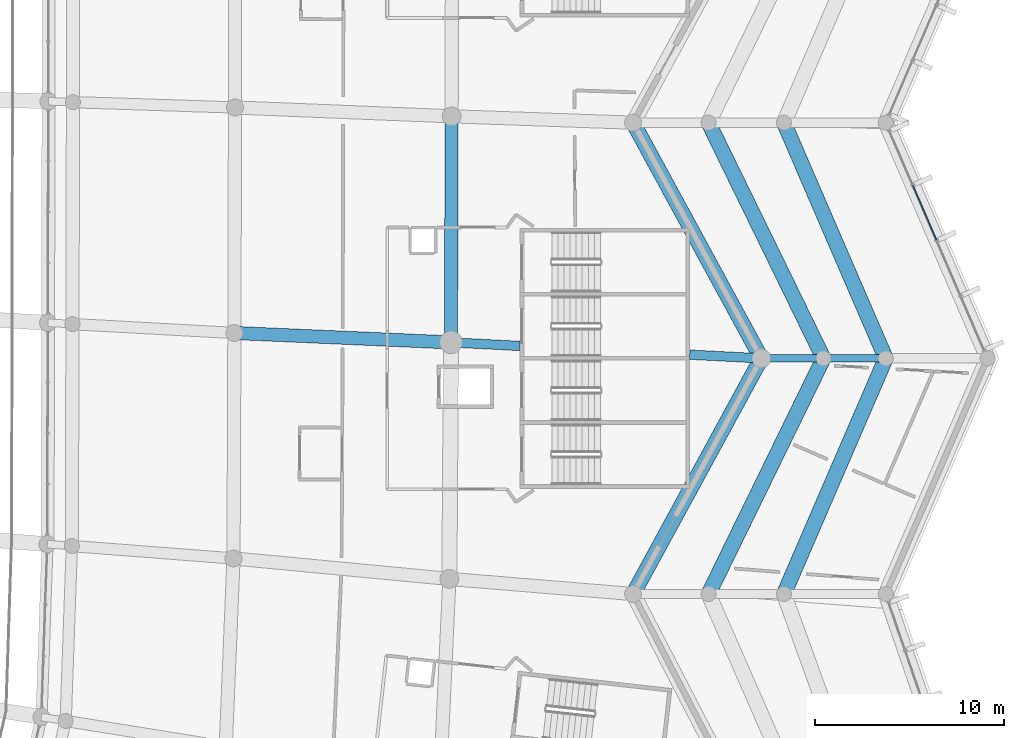
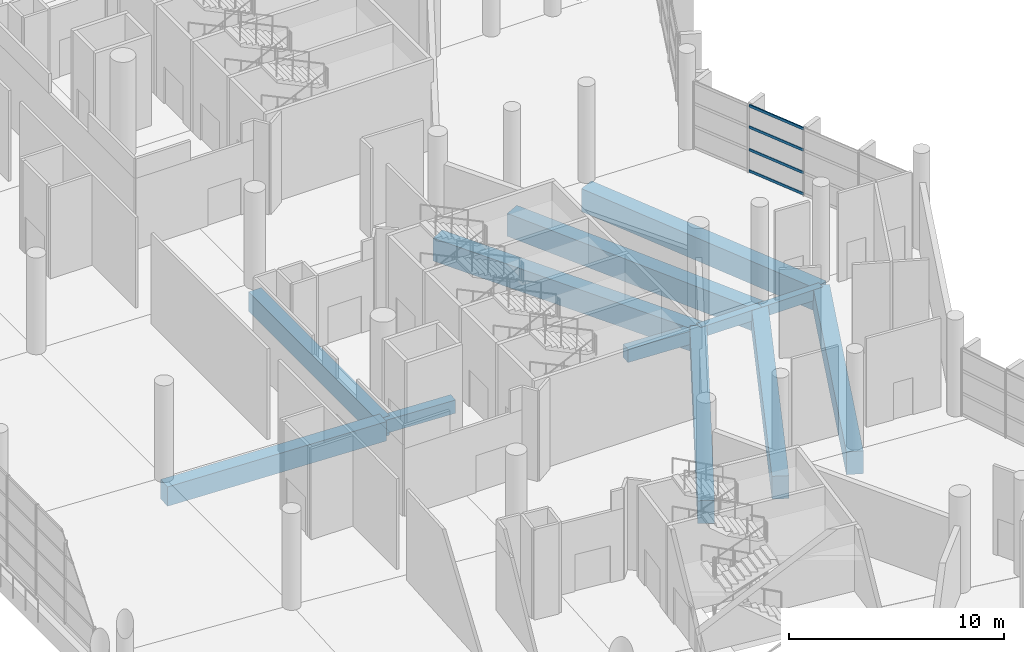
# One storey, part 60 of 271: 12 beams, 4 members, 1 element without a shape of its own.
"""IFC4 building model written with IfcOpenShell, lengths in metres."""

import ifcopenshell
import ifcopenshell.guid

model = None  # the IFC model being written
_history = None  # IfcOwnerHistory: only IFC2X3 demands one
_inside = {}  # id of a spatial element -> (the spatial element, [elements in it])
_under = {}  # id of a project, library or spatial element -> (it, [spatial elements below it])
_declared = {}  # id of a project -> (the project, [libraries it declares])
_typed = {}  # id of a type object -> (the type object, [elements of that type])
_made_of = {}  # id of a material, layer set ... -> (it, [elements and type objects made of it])


def new_model(schema):
    """Start an empty IFC model of exactly this schema.

    Asked for "IFC4X3", IfcOpenShell would pick the latest addendum, in which some entities
    have other attributes; the version numbers below select the first issue.
    IFC2X3 requires an IfcOwnerHistory on every rooted entity: one is made here for all.
    """
    global model, _history
    if schema == "IFC4X3":
        model = ifcopenshell.file(schema_version=(4, 3, 0, 0))
    else:
        model = ifcopenshell.file(schema=schema)
    _inside.clear()
    _under.clear()
    _declared.clear()
    _typed.clear()
    _made_of.clear()
    _history = None
    if model.schema == "IFC2X3":
        org = make("IfcOrganization", Name="unknown")
        user = make(
            "IfcPersonAndOrganization",
            ThePerson=make("IfcPerson", FamilyName="unknown"),
            TheOrganization=org,
        )
        app = make(
            "IfcApplication",
            ApplicationDeveloper=org,
            Version="unknown",
            ApplicationFullName="unknown",
            ApplicationIdentifier="unknown",
        )
        _history = make(
            "IfcOwnerHistory",
            OwningUser=user,
            OwningApplication=app,
            ChangeAction="ADDED",
            CreationDate=0,
        )
    return model


def make(cls, **values):
    """One entity of the class cls with the attributes given. An attribute that is None is left unset."""
    return model.create_entity(
        cls, **{name: value for name, value in values.items() if value is not None}
    )


def rooted(cls, **values):
    """An entity with a GlobalId (a new one), such as an element, a storey or a relation."""
    return make(cls, GlobalId=ifcopenshell.guid.new(), OwnerHistory=_history, **values)


def si_unit(unit_type, name, prefix=None):
    """IfcSIUnit, for example si_unit("LENGTHUNIT", "METRE", prefix="MILLI")."""
    return make("IfcSIUnit", UnitType=unit_type, Prefix=prefix, Name=name)


def assignment(units):
    """IfcUnitAssignment: the units of a project."""
    return None if units is None else make("IfcUnitAssignment", Units=units)


def point(xyz):
    """IfcCartesianPoint."""
    return None if xyz is None else make("IfcCartesianPoint", Coordinates=xyz)


def direction(xyz):
    """IfcDirection."""
    return None if xyz is None else make("IfcDirection", DirectionRatios=xyz)


def frame(location, z_axis=None, x_axis=None):
    """IfcAxis2Placement3D, a coordinate frame: its origin and axes. An axis left out is left unset."""
    return make(
        "IfcAxis2Placement3D",
        Location=point(location),
        Axis=direction(z_axis),
        RefDirection=direction(x_axis),
    )


def frame_2d(location, x_axis=None):
    """IfcAxis2Placement2D, a coordinate frame in the plane: its origin and x axis."""
    return make(
        "IfcAxis2Placement2D", Location=point(location), RefDirection=direction(x_axis)
    )


def origin():
    """The frame at (0, 0, 0) with its axes left unset."""
    return frame((0.0, 0.0, 0.0))


def origin_2d():
    """The frame at (0, 0) in the plane with its x axis left unset."""
    return frame_2d((0.0, 0.0))


def place(relative_to, where):
    """IfcLocalPlacement: puts the frame where relative to a parent placement (None: the world)."""
    return make(
        "IfcLocalPlacement", PlacementRelTo=relative_to, RelativePlacement=where
    )


def context(
    kind, dimensions, precision=None, world=None, true_north=None, identifier=None
):
    """IfcGeometricRepresentationContext, for example the 3D "Model" context."""
    return make(
        "IfcGeometricRepresentationContext",
        ContextIdentifier=identifier,
        ContextType=kind,
        CoordinateSpaceDimension=dimensions,
        Precision=precision,
        WorldCoordinateSystem=world,
        TrueNorth=true_north,
    )


def subcontext(parent, identifier, kind, view, scale=None):
    """IfcGeometricRepresentationSubContext, for example "Body" below "Model"."""
    return make(
        "IfcGeometricRepresentationSubContext",
        ContextIdentifier=identifier,
        ContextType=kind,
        ParentContext=parent,
        TargetScale=scale,
        TargetView=view,
    )


def project(units=None, contexts=None):
    """IfcProject with its units and contexts."""
    return rooted(
        "IfcProject",
        Name="project",
        RepresentationContexts=contexts,
        UnitsInContext=assignment(units),
    )


def spatial(cls, under=None, at=None, **own):
    """A site, building, storey or space (cls), placed at a placement, below another one or the project."""
    s = rooted(cls, ObjectPlacement=at, **own)
    if under is not None:
        _under.setdefault(under.id(), (under, []))[1].append(s)
    return s


def profile(cls, at=None, kind="AREA", **sizes):
    """A parametric profile (cls). Its sizes go by their IFC names, for example OverallWidth=200.0."""
    return make(cls, ProfileType=kind, Position=at, **sizes)


def rectangle(**sizes):
    """IfcRectangleProfileDef."""
    return profile("IfcRectangleProfileDef", **sizes)


def extrude(swept, where, along, depth):
    """IfcExtrudedAreaSolid: the profile swept, set in the frame where, extruded along a direction by depth."""
    return make(
        "IfcExtrudedAreaSolid",
        SweptArea=swept,
        Position=where,
        ExtrudedDirection=direction(along),
        Depth=depth,
    )


def shape(context_of_items, identifier, shape_type, items):
    """IfcShapeRepresentation: the items that make up one representation, for example the "Body"."""
    return make(
        "IfcShapeRepresentation",
        ContextOfItems=context_of_items,
        RepresentationIdentifier=identifier,
        RepresentationType=shape_type,
        Items=items,
    )


def material(Name=None, Category=None):
    """IfcMaterial."""
    return make("IfcMaterial", Name=Name, Category=Category)


def layer(
    of_material, thickness, ventilated=None, Name=None, Category=None, Priority=None
):
    """IfcMaterialLayer: one layer of a wall or slab, of a material (None: an air gap)."""
    return make(
        "IfcMaterialLayer",
        Material=of_material,
        LayerThickness=thickness,
        IsVentilated=ventilated,
        Name=Name,
        Category=Category,
        Priority=Priority,
    )


def layer_set(layers, Name=None):
    """IfcMaterialLayerSet."""
    return make("IfcMaterialLayerSet", MaterialLayers=layers, LayerSetName=Name)


def material_profile(
    of_material, cross_section, Name=None, Category=None, Priority=None
):
    """IfcMaterialProfile: a cross section and its material."""
    return make(
        "IfcMaterialProfile",
        Name=Name,
        Material=of_material,
        Profile=cross_section,
        Priority=Priority,
        Category=Category,
    )


def profile_set(profiles, Name=None, composite=None):
    """IfcMaterialProfileSet."""
    return make(
        "IfcMaterialProfileSet",
        Name=Name,
        MaterialProfiles=profiles,
        CompositeProfile=composite,
    )


def made_of(thing, what):
    """Note that an element or type object is made of a material, layer set ...; save() writes the relation."""
    if what is not None:
        _made_of.setdefault(what.id(), (what, []))[1].append(thing)
    return thing


def type_object(cls, material=None, **own):
    """A type object (cls), such as IfcWallType, which elements share."""
    return made_of(rooted(cls, **own), material)


def element(
    cls,
    number,
    at=None,
    inside=None,
    cuts=None,
    type_object=None,
    material=None,
    context=None,
    identifier="Body",
    shape_type=None,
    held_by="IfcProductDefinitionShape",
    body=None,
    shapes=None,
    **own,
):
    """One element of the class cls, such as IfcWall. Its Tag is "e" and its number.

    at: its placement. inside: the storey or other place that contains it. cuts: it is an
    opening in that element (IfcRelVoidsElement). A single representation is given by context,
    identifier, shape_type and body (its items); several are given by shapes. held_by: the class
    of the entity that holds the representations. save() writes the other relations.
    """
    e = rooted(cls, Tag="e%d" % number, ObjectPlacement=at, **own)
    if body is not None:
        shapes = [shape(context, identifier, shape_type, body)]
    if shapes is not None:
        e.Representation = make(held_by, Representations=shapes)
    if inside is not None:
        _inside.setdefault(inside.id(), (inside, []))[1].append(e)
    if cuts is not None:
        rooted(
            "IfcRelVoidsElement", RelatingBuildingElement=cuts, RelatedOpeningElement=e
        )
    if type_object is not None:
        _typed.setdefault(type_object.id(), (type_object, []))[1].append(e)
    return made_of(e, material)


def aggregate(whole, parts):
    """IfcRelAggregates: a whole, such as a stair, and the parts it consists of."""
    return rooted("IfcRelAggregates", RelatingObject=whole, RelatedObjects=parts)


def save(model, path):
    """Write the relations noted so far, then the file.

    IfcRelAggregates (storeys below a building ...), IfcRelContainedInSpatialStructure (elements
    in a storey), IfcRelDefinesByType, IfcRelAssociatesMaterial and IfcRelDeclares: one each for
    every whole, place, type object, material and project.
    """
    for whole, parts in _under.values():
        aggregate(whole, parts)
    for where, things in _inside.values():
        rooted(
            "IfcRelContainedInSpatialStructure",
            RelatedElements=things,
            RelatingStructure=where,
        )
    for kind, things in _typed.values():
        rooted("IfcRelDefinesByType", RelatedObjects=things, RelatingType=kind)
    for what, things in _made_of.values():
        rooted("IfcRelAssociatesMaterial", RelatedObjects=things, RelatingMaterial=what)
    for by, libraries in _declared.values():
        rooted("IfcRelDeclares", RelatingContext=by, RelatedDefinitions=libraries)
    model.write(path)


model = new_model("IFC4")

# Units and contexts
model_context = context("Model", 3, precision=1e-05, world=origin(), true_north=direction((0.0, 1.0)))
body_context = subcontext(model_context, "Body", "Model", "MODEL_VIEW")
ifc_project = project(units=[si_unit("LENGTHUNIT", "METRE"), si_unit("AREAUNIT", "SQUARE_METRE"), si_unit("VOLUMEUNIT", "CUBIC_METRE"), si_unit("PLANEANGLEUNIT", "RADIAN"), si_unit("MASSUNIT", "GRAM", prefix="KILO")], contexts=[model_context])

# Site, building, storey
site_placement = place(None, origin())
site = spatial("IfcSite", under=ifc_project, at=site_placement, CompositionType="ELEMENT")
building_placement = place(site_placement, origin())
building = spatial("IfcBuilding", under=site, at=building_placement, Name="Meseta Stadium", CompositionType="ELEMENT")
storey_placement = place(building_placement, frame((0.0, 0.0, 6.5)))
storey = spatial("IfcBuildingStorey", under=building, at=storey_placement, Name="L01", CompositionType="ELEMENT", Elevation=6.5)

# Beams
ifc_material_1 = material(Name="Concrete C40/50", Category="concrete")
ifc_material_profile_1 = material_profile(ifc_material_1, rectangle(XDim=0.39990234375, YDim=0.60009765625, at=origin_2d()), Name="RC 400x600")
ifc_profile_set_1 = profile_set([ifc_material_profile_1], Name="Concrete C40/50")
beam_type_1 = type_object("IfcBeamType", Name="RC beam 400x600", PredefinedType="BEAM", material=ifc_profile_set_1)
for number, where, z_axis, x_axis, name in (
    (1, (101.39990234375, -31.25, -0.64990234375), (1.0, 0.0, 0.0), (0.0, 1.0, 0.0), "L01 radial beam frame 2 line R to M"),
    (2, (104.699951171875, -31.25, -0.64990234375), (1.0, 0.0, 0.0), (0.0, 1.0, 0.0), "L01 radial beam frame 2 line M to Q"),
):
    element("IfcBeam", number, at=place(storey_placement, frame(where, z_axis=z_axis, x_axis=x_axis)), inside=storey, type_object=beam_type_1, Name=name, PredefinedType="BEAM", context=body_context, shape_type="SweptSolid", body=[
        extrude(rectangle(XDim=0.39990234375, YDim=0.60009765625, at=origin_2d()), origin(), (0.0, 0.0, 1.0), 3.300048828125),
    ])
ifc_material_2 = material(Name="Concrete C40/50", Category="concrete")
ifc_material_profile_2 = material_profile(ifc_material_2, rectangle(XDim=0.5, YDim=0.75, at=origin_2d()), Name="RC 500x750")
ifc_profile_set_2 = profile_set([ifc_material_profile_2], Name="Concrete C40/50")
beam_type_2 = type_object("IfcBeamType", Name="RC beam 500x750", PredefinedType="BEAM", material=ifc_profile_set_2)
beam_1_placement = place(storey_placement, frame((84.940673828125, -30.404052734375, -0.72509765625), z_axis=(0.998683115753, -0.051303355736, 0.0), x_axis=(0.051303355736, 0.998683115753, 0.0)))
element("IfcBeam", 3, at=beam_1_placement, inside=storey, type_object=beam_type_2, Name="L01 radial beam frame 2 line P to R", PredefinedType="BEAM", context=body_context, shape_type="SweptSolid", body=[
    extrude(rectangle(XDim=0.5, YDim=0.75, at=origin_2d()), origin(), (0.0, 0.0, 1.0), 3.664306640625),
])
beam_2_placement = place(storey_placement, frame((97.60009765625, -31.0546875, -0.72509765625), z_axis=(0.998681597522, -0.05133290144, 0.0), x_axis=(0.05133290144, 0.998681597522, 0.0)))
element("IfcBeam", 4, at=beam_2_placement, inside=storey, type_object=beam_type_2, Name="L01 radial beam frame 2 line P to R", PredefinedType="BEAM", context=body_context, shape_type="SweptSolid", body=[
    extrude(rectangle(XDim=0.5, YDim=0.75, at=origin_2d()), origin(), (0.0, 0.0, 1.0), 3.804931640625),
])
ifc_material_3 = material(Name="Concrete C40/50", Category="concrete")
ifc_material_profile_3 = material_profile(ifc_material_3, rectangle(XDim=0.699951171875, YDim=1.10009765625, at=origin_2d()), Name="RC 700x1100")
ifc_profile_set_3 = profile_set([ifc_material_profile_3], Name="Concrete C40/50")
beam_type_3 = type_object("IfcBeamType", Name="RC beam 700x1100", PredefinedType="BEAM", material=ifc_profile_set_3)
beam_3_placement = place(storey_placement, frame((84.940673828125, -30.404052734375, -0.89990234375), z_axis=(0.002707369213, 0.999996335069, 0.0), x_axis=(-0.999996335069, 0.002707369213, 0.0)))
element("IfcBeam", 5, at=beam_3_placement, inside=storey, type_object=beam_type_3, Name="L01 ring beam frame 2 line P", PredefinedType="BEAM", context=body_context, shape_type="SweptSolid", body=[
    extrude(rectangle(XDim=0.699951171875, YDim=1.10009765625, at=origin_2d()), origin(), (0.0, 0.0, 1.0), 11.993408203125),
])
beam_4_placement = place(storey_placement, frame((73.451416015625, -29.904052734375, -0.89990234375), z_axis=(0.999054395094, -0.04347776033, 0.0), x_axis=(0.04347776033, 0.999054395094, 0.0)))
element("IfcBeam", 6, at=beam_4_placement, inside=storey, type_object=beam_type_3, Name="L01 radial beam frame 2 line E to P", PredefinedType="BEAM", context=body_context, shape_type="SweptSolid", body=[
    extrude(rectangle(XDim=0.699951171875, YDim=1.10009765625, at=origin_2d()), origin(), (0.0, 0.0, 1.0), 11.500244140625),
])
ifc_material_4 = material(Name="Concrete C40/50", Category="concrete")
ifc_material_profile_4 = material_profile(ifc_material_4, rectangle(XDim=0.800048828125, YDim=1.300048828125, at=origin_2d()), Name="RC 800x1300")
ifc_profile_set_4 = profile_set([ifc_material_profile_4], Name="Concrete C40/50")
beam_type_4 = type_object("IfcBeamType", Name="RC beam 800x1300", PredefinedType="BEAM", material=ifc_profile_set_4)
for number, where, z_axis, x_axis, name in (
    (7, (94.60009765625, -43.75, -1.0), (0.47785649891, 0.878437912689, 0.0), (-0.878437912689, 0.47785649891, 0.0), "L01 ring beam frame 1 line R"),
    (8, (101.39990234375, -31.25, -1.0), (-0.47785649891, 0.878437912689, 0.0), (-0.878437912689, -0.47785649891, 0.0), "L01 ring beam frame 2 line R"),
):
    element("IfcBeam", number, at=place(storey_placement, frame(where, z_axis=z_axis, x_axis=x_axis)), inside=storey, type_object=beam_type_4, Name=name, PredefinedType="BEAM", context=body_context, shape_type="SweptSolid", body=[
        extrude(rectangle(XDim=0.800048828125, YDim=1.300048828125, at=origin_2d()), origin(), (0.0, 0.0, 1.0), 14.229736328125),
    ])
beam_5_placement = place(storey_placement, frame((98.60009765625, -43.75, -1.0), z_axis=(0.438556770405, 0.898703487882, 0.0), x_axis=(-0.898703487882, 0.438556770405, 0.0)))
element("IfcBeam", 9, at=beam_5_placement, inside=storey, type_object=beam_type_4, Name="L01 ring beam frame 1 line M", PredefinedType="BEAM", context=body_context, shape_type="SweptSolid", body=[
    extrude(rectangle(XDim=0.800048828125, YDim=1.300048828125, at=origin_2d()), origin(), (0.0, 0.0, 1.0), 13.908935546875),
])
beam_6_placement = place(storey_placement, frame((102.60009765625, -43.75, -1.0), z_axis=(0.396570645327, 0.918004206562, 0.0), x_axis=(-0.918004206562, 0.396570645327, 0.0)))
element("IfcBeam", 10, at=beam_6_placement, inside=storey, type_object=beam_type_4, Name="L01 ring beam frame 1 line Q", PredefinedType="BEAM", context=body_context, shape_type="SweptSolid", body=[
    extrude(rectangle(XDim=0.800048828125, YDim=1.300048828125, at=origin_2d()), origin(), (0.0, 0.0, 1.0), 13.616455078125),
])
beam_7_placement = place(storey_placement, frame((104.699951171875, -31.25, -1.0), z_axis=(-0.438556770405, 0.898703487882, 0.0), x_axis=(-0.898703487882, -0.438556770405, 0.0)))
element("IfcBeam", 11, at=beam_7_placement, inside=storey, type_object=beam_type_4, Name="L01 ring beam frame 2 line M", PredefinedType="BEAM", context=body_context, shape_type="SweptSolid", body=[
    extrude(rectangle(XDim=0.800048828125, YDim=1.300048828125, at=origin_2d()), origin(), (0.0, 0.0, 1.0), 13.908935546875),
])
beam_8_placement = place(storey_placement, frame((108.0, -31.25, -1.0), z_axis=(-0.396570645327, 0.918004206562, 0.0), x_axis=(-0.918004206562, -0.396570645327, 0.0)))
element("IfcBeam", 12, at=beam_8_placement, inside=storey, type_object=beam_type_4, Name="L01 ring beam frame 2 line Q", PredefinedType="BEAM", context=body_context, shape_type="SweptSolid", body=[
    extrude(rectangle(XDim=0.800048828125, YDim=1.300048828125, at=origin_2d()), origin(), (0.0, 0.0, 1.0), 13.616455078125),
])

# Curtain wall, members
ifc_material_5 = material(Name="Aluminium", Category="aluminium")
ifc_layer = layer(ifc_material_5, 0.199951171875)
ifc_layer_set = layer_set([ifc_layer], Name="Ring shopfront curtain wall")
curtain_wall_type = type_object("IfcCurtainWallType", Name="Ring shopfront curtain wall", PredefinedType="NOTDEFINED", material=ifc_layer_set)
curtain_wall_placement = place(storey_placement, origin())
curtain_wall = element("IfcCurtainWall", 13, at=curtain_wall_placement, inside=storey, type_object=curtain_wall_type, Name="Ring glazing L01 F02", PredefinedType="NOTDEFINED")
ifc_material_6 = material(Name="Aluminium", Category="aluminium")
ifc_material_profile_5 = material_profile(ifc_material_6, rectangle(XDim=0.06005859375, YDim=0.14990234375, at=origin_2d()), Name="CW 60x150")
ifc_profile_set_5 = profile_set([ifc_material_profile_5], Name="Aluminium")
member_type = type_object("IfcMemberType", Name="Ring CW transom 60x150", PredefinedType="USERDEFINED", material=ifc_profile_set_5)
member_1_placement = place(storey_placement, frame((110.68798828125, -24.972412109375, 0.074951171875), z_axis=(-0.396569883564, 0.918004535637, 0.0), x_axis=(-0.918004535637, -0.396569883564, 0.0)))
member_1 = element("IfcMember", 14, at=member_1_placement, type_object=member_type, Name="CWR1 transom 3.1", ObjectType="TRANSOM", PredefinedType="USERDEFINED", context=body_context, shape_type="SweptSolid", body=[
    extrude(rectangle(XDim=0.06005859375, YDim=0.14990234375, at=origin_2d()), origin(), (0.0, 0.0, 1.0), 3.14404296875),
])
member_2_placement = place(storey_placement, frame((110.68798828125, -24.972412109375, 1.283447265625), z_axis=(-0.396569883564, 0.918004535637, 0.0), x_axis=(-0.918004535637, -0.396569883564, 0.0)))
member_2 = element("IfcMember", 15, at=member_2_placement, type_object=member_type, Name="CWR1 transom 3.2", ObjectType="TRANSOM", PredefinedType="USERDEFINED", context=body_context, shape_type="SweptSolid", body=[
    extrude(rectangle(XDim=0.06005859375, YDim=0.14990234375, at=origin_2d()), origin(), (0.0, 0.0, 1.0), 3.14404296875),
])
member_3_placement = place(storey_placement, frame((110.68798828125, -24.972412109375, 2.566650390625), z_axis=(-0.396569883564, 0.918004535637, 0.0), x_axis=(-0.918004535637, -0.396569883564, 0.0)))
member_3 = element("IfcMember", 16, at=member_3_placement, type_object=member_type, Name="CWR1 transom 3.3", ObjectType="TRANSOM", PredefinedType="USERDEFINED", context=body_context, shape_type="SweptSolid", body=[
    extrude(rectangle(XDim=0.06005859375, YDim=0.14990234375, at=origin_2d()), origin(), (0.0, 0.0, 1.0), 3.14404296875),
])
member_4_placement = place(storey_placement, frame((110.68798828125, -24.972412109375, 3.77490234375), z_axis=(-0.396569883564, 0.918004535637, 0.0), x_axis=(-0.918004535637, -0.396569883564, 0.0)))
member_4 = element("IfcMember", 17, at=member_4_placement, type_object=member_type, Name="CWR1 transom 3.4", ObjectType="TRANSOM", PredefinedType="USERDEFINED", context=body_context, shape_type="SweptSolid", body=[
    extrude(rectangle(XDim=0.06005859375, YDim=0.14990234375, at=origin_2d()), origin(), (0.0, 0.0, 1.0), 3.14404296875),
])
aggregate(curtain_wall, [member_1, member_2, member_3, member_4])

save(model, "model.ifc")
